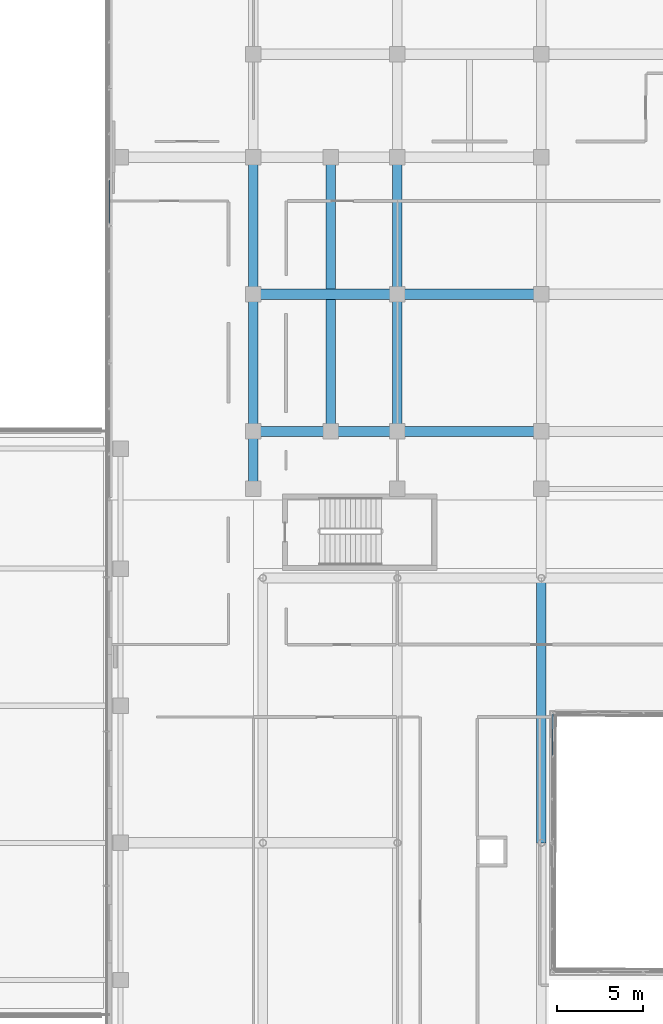
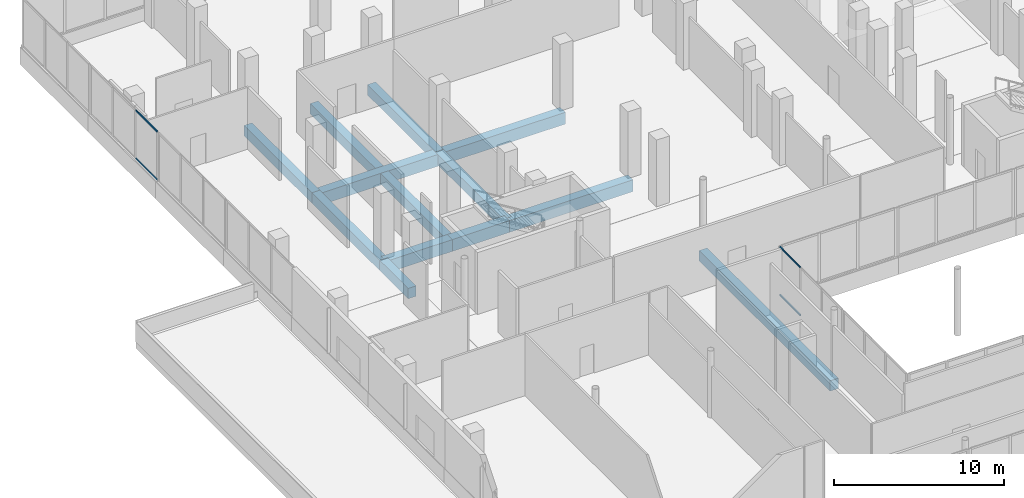
# One storey, part 71 of 168: 12 beams, 4 members, 2 elements without a shape of their own.
"""IFC4 building model written with IfcOpenShell, lengths in metres."""

from ifc_helpers import new_model, si_unit, direction, frame, origin, origin_2d, place, context, subcontext, project, spatial, rectangle, hollow_rectangle, extrude, material, material_profile, profile_set, type_object, element, aggregate, save


model = new_model("IFC4")

# Units and contexts
model_context = context("Model", 3, precision=1e-05, world=origin(), true_north=direction((0.0, 1.0)))
body_context = subcontext(model_context, "Body", "Model", "MODEL_VIEW")
ifc_project = project(units=[si_unit("LENGTHUNIT", "METRE"), si_unit("AREAUNIT", "SQUARE_METRE"), si_unit("VOLUMEUNIT", "CUBIC_METRE"), si_unit("PLANEANGLEUNIT", "RADIAN"), si_unit("MASSUNIT", "GRAM", prefix="KILO")], contexts=[model_context])

# Site, building, storey
site_placement = place(None, origin())
site = spatial("IfcSite", under=ifc_project, at=site_placement, CompositionType="ELEMENT")
building_placement = place(site_placement, origin())
building = spatial("IfcBuilding", under=site, at=building_placement, Name="Selatvlak General Hospital", CompositionType="ELEMENT")
storey_placement = place(building_placement, frame((0.0, 0.0, 5.39990234375)))
storey = spatial("IfcBuildingStorey", under=building, at=storey_placement, Name="L01", CompositionType="ELEMENT", Elevation=5.39990234375)

# Beams
ifc_material_1 = material(Name="Concrete C40/50", Category="concrete")
ifc_material_profile_1 = material_profile(ifc_material_1, rectangle(XDim=0.60009765625, YDim=0.85009765625, at=origin_2d()), Name="RC-BM 600x850")
ifc_profile_set_1 = profile_set([ifc_material_profile_1], Name="Concrete C40/50")
beam_type_1 = type_object("IfcBeamType", Name="BM-G01", PredefinedType="BEAM", material=ifc_profile_set_1)
beam_1_placement = place(storey_placement, frame((22.800048828125, 92.0, -0.744873046875), z_axis=(1.0, 0.0, 0.0), x_axis=(0.0, 1.0, 0.0)))
element("IfcBeam", 1, at=beam_1_placement, inside=storey, type_object=beam_type_1, Name="Beam BMR-L01-0451", PredefinedType="BEAM", context=body_context, shape_type="SweptSolid", body=[
    extrude(rectangle(XDim=0.60009765625, YDim=0.85009765625, at=origin_2d()), origin(), (0.0, 0.0, 1.0), 4.5),
])
beam_2_placement = place(storey_placement, frame((27.300048828125, 92.0, -0.744873046875), z_axis=(1.0, 0.0, 0.0), x_axis=(0.0, 1.0, 0.0)))
element("IfcBeam", 2, at=beam_2_placement, inside=storey, type_object=beam_type_1, Name="Beam BMR-L01-0452", PredefinedType="BEAM", context=body_context, shape_type="SweptSolid", body=[
    extrude(rectangle(XDim=0.60009765625, YDim=0.85009765625, at=origin_2d()), origin(), (0.0, 0.0, 1.0), 3.89990234375),
])
beam_3_placement = place(storey_placement, frame((31.199951171875, 92.0, -0.744873046875), z_axis=(1.0, 0.0, 0.0), x_axis=(0.0, 1.0, 0.0)))
element("IfcBeam", 3, at=beam_3_placement, inside=storey, type_object=beam_type_1, Name="Beam BMR-L01-0453", PredefinedType="BEAM", context=body_context, shape_type="SweptSolid", body=[
    extrude(rectangle(XDim=0.60009765625, YDim=0.85009765625, at=origin_2d()), origin(), (0.0, 0.0, 1.0), 8.400146484375),
])
beam_4_placement = place(storey_placement, frame((22.800048828125, 100.0, -0.744873046875), z_axis=(1.0, 0.0, 0.0), x_axis=(0.0, 1.0, 0.0)))
element("IfcBeam", 4, at=beam_4_placement, inside=storey, type_object=beam_type_1, Name="Beam BMR-L01-0475", PredefinedType="BEAM", context=body_context, shape_type="SweptSolid", body=[
    extrude(rectangle(XDim=0.60009765625, YDim=0.85009765625, at=origin_2d()), origin(), (0.0, 0.0, 1.0), 8.39990234375),
])
beam_5_placement = place(storey_placement, frame((31.199951171875, 100.0, -0.744873046875), z_axis=(1.0, 0.0, 0.0), x_axis=(0.0, 1.0, 0.0)))
element("IfcBeam", 5, at=beam_5_placement, inside=storey, type_object=beam_type_1, Name="Beam BMR-L01-0476", PredefinedType="BEAM", context=body_context, shape_type="SweptSolid", body=[
    extrude(rectangle(XDim=0.60009765625, YDim=0.85009765625, at=origin_2d()), origin(), (0.0, 0.0, 1.0), 8.400146484375),
])
ifc_material_profile_2 = material_profile(ifc_material_1, rectangle(XDim=0.550048828125, YDim=0.75, at=origin_2d()), Name="RC-BM 550x750")
ifc_profile_set_2 = profile_set([ifc_material_profile_2], Name="Concrete C40/50")
beam_type_2 = type_object("IfcBeamType", Name="BM-G02", PredefinedType="BEAM", material=ifc_profile_set_2)
beam_6_placement = place(storey_placement, frame((22.800048828125, 88.64990234375, -0.69482421875), z_axis=(0.0, 1.0, 0.0), x_axis=(-1.0, 0.0, 0.0)))
element("IfcBeam", 6, at=beam_6_placement, inside=storey, type_object=beam_type_2, Name="Beam BMR-L01-0545", PredefinedType="BEAM", context=body_context, shape_type="SweptSolid", body=[
    extrude(rectangle(XDim=0.550048828125, YDim=0.75, at=origin_2d()), origin(), (0.0, 0.0, 1.0), 3.35009765625),
])
for number, where, z_axis, x_axis, name in (
    (7, (22.800048828125, 92.0, -0.69482421875), (0.0, 1.0, 0.0), (-1.0, 0.0, 0.0), "Beam BMR-L01-0546"),
    (8, (22.800048828125, 100.0, -0.69482421875), (0.0, 1.0, 0.0), (-1.0, 0.0, 0.0), "Beam BMR-L01-0547"),
):
    element("IfcBeam", number, at=place(storey_placement, frame(where, z_axis=z_axis, x_axis=x_axis)), inside=storey, type_object=beam_type_2, Name=name, PredefinedType="BEAM", context=body_context, shape_type="SweptSolid", body=[
        extrude(rectangle(XDim=0.550048828125, YDim=0.75, at=origin_2d()), origin(), (0.0, 0.0, 1.0), 8.0),
    ])
beam_7_placement = place(storey_placement, frame((27.300048828125, 92.0, -0.69482421875), z_axis=(0.0, 1.0, 0.0), x_axis=(-1.0, 0.0, 0.0)))
element("IfcBeam", 9, at=beam_7_placement, inside=storey, type_object=beam_type_2, Name="Beam BMR-L01-0552", PredefinedType="BEAM", context=body_context, shape_type="SweptSolid", body=[
    extrude(rectangle(XDim=0.550048828125, YDim=0.75, at=origin_2d()), origin(), (0.0, 0.0, 1.0), 16.0),
])
for number, where, z_axis, x_axis, name in (
    (10, (31.199951171875, 92.0, -0.69482421875), (0.0, 1.0, 0.0), (-1.0, 0.0, 0.0), "Beam BMR-L01-0555"),
    (11, (31.199951171875, 100.0, -0.69482421875), (0.0, 1.0, 0.0), (-1.0, 0.0, 0.0), "Beam BMR-L01-0556"),
):
    element("IfcBeam", number, at=place(storey_placement, frame(where, z_axis=z_axis, x_axis=x_axis)), inside=storey, type_object=beam_type_2, Name=name, PredefinedType="BEAM", context=body_context, shape_type="SweptSolid", body=[
        extrude(rectangle(XDim=0.550048828125, YDim=0.75, at=origin_2d()), origin(), (0.0, 0.0, 1.0), 8.0),
    ])
beam_8_placement = place(storey_placement, frame((39.60009765625, 68.0, -0.69482421875), z_axis=(0.0, 1.0, 0.0), x_axis=(-1.0, 0.0, 0.0)))
element("IfcBeam", 12, at=beam_8_placement, inside=storey, type_object=beam_type_2, Name="Beam BMR-L01-0560", PredefinedType="BEAM", context=body_context, shape_type="SweptSolid", body=[
    extrude(rectangle(XDim=0.550048828125, YDim=0.75, at=origin_2d()), origin(), (0.0, 0.0, 1.0), 15.449951171875),
])

# Curtain wall, members
ifc_material_2 = material(Name="Solar-control Low-E double glazing", Category="glass")
curtain_wall_type = type_object("IfcCurtainWallType", Name="CW-CW-01", PredefinedType="USERDEFINED", material=ifc_material_2)
curtain_wall_1_placement = place(storey_placement, origin())
curtain_wall_1 = element("IfcCurtainWall", 13, at=curtain_wall_1_placement, inside=storey, type_object=curtain_wall_type, Name="Glazed facade curtain wall CW-L01-0110", ObjectType="UNITISED CURTAIN WALL", PredefinedType="USERDEFINED")
ifc_material_3 = material(Name="Dark anodised aluminium mullion", Category="aluminium")
ifc_material_profile_3 = material_profile(ifc_material_3, hollow_rectangle(XDim=0.06494140625, YDim=0.1201171875, WallThickness=0.00390625, at=origin_2d()), Name="AL-TRN 65x120x4")
ifc_profile_set_3 = profile_set([ifc_material_profile_3], Name="Dark anodised aluminium mullion")
member_type = type_object("IfcMemberType", Name="CWT-01", PredefinedType="USERDEFINED", material=ifc_profile_set_3)
member_1_placement = place(storey_placement, frame((14.39990234375, 104.12890625, 0.97265625), z_axis=(0.0, 1.0, 0.0), x_axis=(-1.0, 0.0, 0.0)))
member_1 = element("IfcMember", 14, at=member_1_placement, type_object=member_type, Name="CW-01 transom 1.1", ObjectType="TRANSOM", PredefinedType="USERDEFINED", context=body_context, shape_type="SweptSolid", body=[
    extrude(hollow_rectangle(XDim=0.06494140625, YDim=0.1201171875, WallThickness=0.00390625, at=origin_2d()), origin(), (0.0, 0.0, 1.0), 2.54248046875),
])
member_2_placement = place(storey_placement, frame((14.39990234375, 104.12890625, 4.41259765625), z_axis=(0.0, 1.0, 0.0), x_axis=(-1.0, 0.0, 0.0)))
member_2 = element("IfcMember", 15, at=member_2_placement, type_object=member_type, Name="CW-01 transom 1.2", ObjectType="TRANSOM", PredefinedType="USERDEFINED", context=body_context, shape_type="SweptSolid", body=[
    extrude(hollow_rectangle(XDim=0.06494140625, YDim=0.1201171875, WallThickness=0.00390625, at=origin_2d()), origin(), (0.0, 0.0, 1.0), 2.54248046875),
])
aggregate(curtain_wall_1, [member_1, member_2])

curtain_wall_2_placement = place(storey_placement, origin())
curtain_wall_2 = element("IfcCurtainWall", 16, at=curtain_wall_2_placement, inside=storey, type_object=curtain_wall_type, Name="Glazed facade curtain wall CW-L01-0229", ObjectType="UNITISED CURTAIN WALL", PredefinedType="USERDEFINED")
member_3_placement = place(storey_placement, frame((40.259765625, 75.52001953125, 0.97265625), z_axis=(-0.003941353924, -0.999992232834, 0.0), x_axis=(0.999992232834, -0.003941353924, 0.0)))
member_3 = element("IfcMember", 17, at=member_3_placement, type_object=member_type, Name="CW-01 transom 1.1", ObjectType="TRANSOM", PredefinedType="USERDEFINED", context=body_context, shape_type="SweptSolid", body=[
    extrude(hollow_rectangle(XDim=0.06494140625, YDim=0.1201171875, WallThickness=0.00390625, at=origin_2d()), origin(), (0.0, 0.0, 1.0), 2.415771484375),
])
member_4_placement = place(storey_placement, frame((40.259765625, 75.52001953125, 4.41259765625), z_axis=(-0.003941353924, -0.999992232834, 0.0), x_axis=(0.999992232834, -0.003941353924, 0.0)))
member_4 = element("IfcMember", 18, at=member_4_placement, type_object=member_type, Name="CW-01 transom 1.2", ObjectType="TRANSOM", PredefinedType="USERDEFINED", context=body_context, shape_type="SweptSolid", body=[
    extrude(hollow_rectangle(XDim=0.06494140625, YDim=0.1201171875, WallThickness=0.00390625, at=origin_2d()), origin(), (0.0, 0.0, 1.0), 2.415771484375),
])
aggregate(curtain_wall_2, [member_3, member_4])

save(model, "model.ifc")
